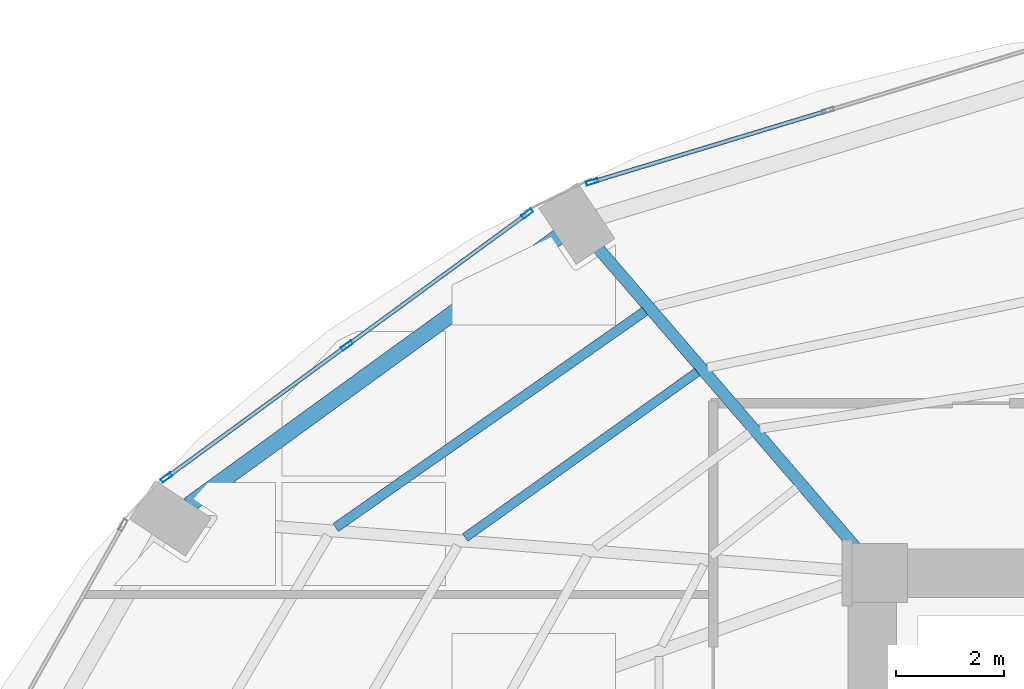
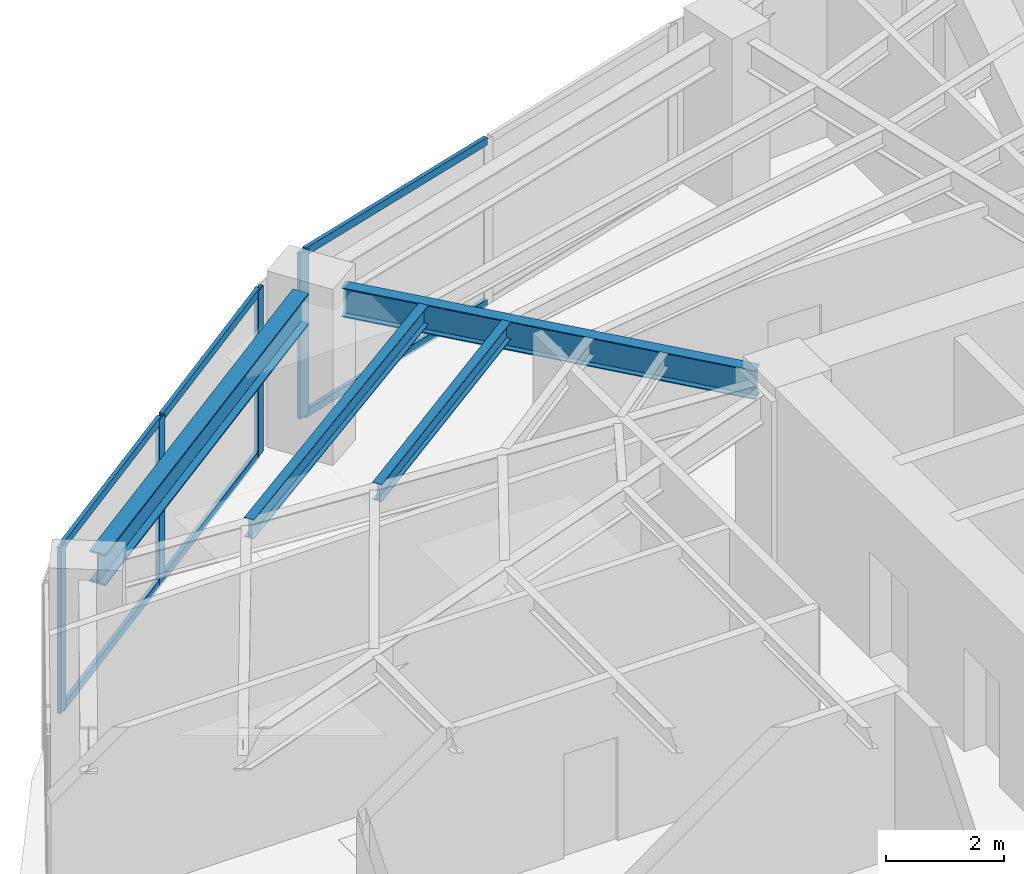
# One storey, part 13 of 24: 10 members, 4 beams, 2 elements without a shape of their own.
"""IFC4 building model written with IfcOpenShell, lengths in metres."""

from ifc_helpers import new_model, si_unit, direction, frame, origin, origin_2d, place, context, subcontext, project, spatial, hollow_rectangle, i_section, extrude, material, layer, layer_set, material_profile, profile_set, type_object, element, aggregate, save


model = new_model("IFC4")

# Units and contexts
model_context = context("Model", 3, precision=1e-05, world=origin(), true_north=direction((0.0, 1.0)))
body_context = subcontext(model_context, "Body", "Model", "MODEL_VIEW")
ifc_project = project(units=[si_unit("LENGTHUNIT", "METRE"), si_unit("AREAUNIT", "SQUARE_METRE"), si_unit("VOLUMEUNIT", "CUBIC_METRE"), si_unit("PLANEANGLEUNIT", "RADIAN"), si_unit("MASSUNIT", "GRAM", prefix="KILO")], contexts=[model_context])

# Site, building, storey
site_placement = place(None, origin())
site = spatial("IfcSite", under=ifc_project, at=site_placement, CompositionType="ELEMENT")
building_placement = place(site_placement, origin())
building = spatial("IfcBuilding", under=site, at=building_placement, Name="Lazwardi Medical Tower", CompositionType="ELEMENT")
storey_placement = place(building_placement, frame((0.0, 0.0, 39.7919921875)))
storey = spatial("IfcBuildingStorey", under=building, at=storey_placement, Name="L09", CompositionType="ELEMENT", Elevation=39.7919921875)

# Beams
ifc_material_1 = material(Name="Steel S355", Category="steel")
ifc_material_profile_1 = material_profile(ifc_material_1, i_section(OverallWidth=0.300048828125, OverallDepth=0.64990234375, WebThickness=0.01611328125, FlangeThickness=0.031005859375, at=origin_2d()), Name="HEB 650")
ifc_profile_set_1 = profile_set([ifc_material_profile_1], Name="Steel S355")
beam_type_1 = type_object("IfcBeamType", Name="BM-RB-Z1", PredefinedType="BEAM", material=ifc_profile_set_1)
beam_1_placement = place(storey_placement, frame((20.47900390625, 41.83740234375, 3.10302734375), z_axis=(-0.80939338516, -0.5872668457, 0.0), x_axis=(0.5872668457, -0.80939338516, 0.0)))
element("IfcBeam", 1, at=beam_1_placement, inside=storey, type_object=beam_type_1, Name="Ring beam RB-02 B10 L09", PredefinedType="BEAM", context=body_context, shape_type="SweptSolid", body=[
    extrude(i_section(OverallWidth=0.300048828125, OverallDepth=0.64990234375, WebThickness=0.01611328125, FlangeThickness=0.031005859375, at=origin_2d()), origin(), (0.0, 0.0, 1.0), 8.47412109375),
])
ifc_material_profile_2 = material_profile(ifc_material_1, i_section(OverallWidth=0.219970703125, OverallDepth=0.60009765625, WebThickness=0.011962890625, FlangeThickness=0.01904296875, at=origin_2d()), Name="IPE 600")
ifc_profile_set_2 = profile_set([ifc_material_profile_2], Name="Steel S355")
beam_type_2 = type_object("IfcBeamType", Name="BM-RG-W1", PredefinedType="BEAM", material=ifc_profile_set_2)
beam_2_placement = place(storey_placement, frame((21.197509765625, 41.644287109375, 3.1279296875), z_axis=(0.652368190463, -0.757902199543, 0.0), x_axis=(0.757902199543, 0.652368190463, 0.0)))
element("IfcBeam", 2, at=beam_2_placement, inside=storey, type_object=beam_type_2, Name="Radial girder RG-02 R10 L09", PredefinedType="BEAM", context=body_context, shape_type="SweptSolid", body=[
    extrude(i_section(OverallWidth=0.219970703125, OverallDepth=0.60009765625, WebThickness=0.011962890625, FlangeThickness=0.01904296875, at=origin_2d()), origin(), (0.0, 0.0, 1.0), 7.43994140625),
])
ifc_material_profile_3 = material_profile(ifc_material_1, i_section(OverallWidth=0.179931640625, OverallDepth=0.39990234375, WebThickness=0.008544921875, FlangeThickness=0.013427734375, at=origin_2d()), Name="IPE 400")
ifc_profile_set_3 = profile_set([ifc_material_profile_3], Name="Steel S355")
beam_type_3 = type_object("IfcBeamType", Name="BM-SJ-01", PredefinedType="JOIST", material=ifc_profile_set_3)
beam_3_placement = place(storey_placement, frame((22.08203125, 40.456298828125, 3.22802734375), z_axis=(-0.81942522483, -0.573186096231, 0.0), x_axis=(0.573186096231, -0.81942522483, 0.0)))
element("IfcBeam", 3, at=beam_3_placement, inside=storey, type_object=beam_type_3, Name="Secondary joist SJ-01 R1 B10 L09", PredefinedType="JOIST", context=body_context, shape_type="SweptSolid", body=[
    extrude(i_section(OverallWidth=0.179931640625, OverallDepth=0.39990234375, WebThickness=0.008544921875, FlangeThickness=0.013427734375, at=origin_2d()), origin(), (0.0, 0.0, 1.0), 6.999755859375),
])
ifc_material_profile_4 = material_profile(ifc_material_1, i_section(OverallWidth=0.169921875, OverallDepth=0.360107421875, WebThickness=0.008056640625, FlangeThickness=0.0126953125, at=origin_2d()), Name="IPE 360")
ifc_profile_set_4 = profile_set([ifc_material_profile_4], Name="Steel S355")
beam_type_4 = type_object("IfcBeamType", Name="BM-SJ-02", PredefinedType="JOIST", material=ifc_profile_set_4)
beam_4_placement = place(storey_placement, frame((23.05322265625, 39.327880859375, 3.248046875), z_axis=(-0.814341377136, -0.580386183058, 0.0), x_axis=(0.580386183058, -0.814341377136, 0.0)))
element("IfcBeam", 4, at=beam_4_placement, inside=storey, type_object=beam_type_4, Name="Secondary joist SJ-02 R2 B10 L09", PredefinedType="JOIST", context=body_context, shape_type="SweptSolid", body=[
    extrude(i_section(OverallWidth=0.169921875, OverallDepth=0.360107421875, WebThickness=0.008056640625, FlangeThickness=0.0126953125, at=origin_2d()), origin(), (0.0, 0.0, 1.0), 5.28759765625),
])

# Curtain wall, member
ifc_material_2 = material(Name="Anodised bronze aluminium and solar control glazing", Category="aluminium")
ifc_layer = layer(ifc_material_2, 0.199951171875)
ifc_layer_set = layer_set([ifc_layer], Name="Anodised bronze aluminium and solar control glazing")
curtain_wall_type = type_object("IfcCurtainWallType", Name="CW-SYS-02", PredefinedType="NOTDEFINED", material=ifc_layer_set)
curtain_wall_1_placement = place(storey_placement, origin())
curtain_wall_1 = element("IfcCurtainWall", 5, at=curtain_wall_1_placement, inside=storey, type_object=curtain_wall_type, Name="L09 Unitised bronze curtain wall CW-02", PredefinedType="NOTDEFINED")
ifc_material_3 = material(Name="Anodised bronze aluminium", Category="aluminium")
ifc_material_profile_5 = material_profile(ifc_material_3, hollow_rectangle(XDim=0.074951171875, YDim=0.219970703125, WallThickness=0.00390625, at=origin_2d()), Name="ALU-MULLION 220x75x4")
ifc_profile_set_5 = profile_set([ifc_material_profile_5], Name="Anodised bronze aluminium")
member_type_1 = type_object("IfcMemberType", Name="CW-MUL-01", PredefinedType="MULLION", material=ifc_profile_set_5)
member_1_placement = place(storey_placement, frame((21.1015625, 42.853271484375, 0.0), z_axis=(0.0, 0.0, 1.0), x_axis=(0.2898956909, -0.957058247129, 0.0)))
member_1 = element("IfcMember", 6, at=member_1_placement, type_object=member_type_1, Name="CW-02 mullion 3", PredefinedType="MULLION", context=body_context, shape_type="SweptSolid", body=[
    extrude(hollow_rectangle(XDim=0.074951171875, YDim=0.219970703125, WallThickness=0.00390625, at=origin_2d()), origin(), (0.0, 0.0, 1.0), 3.427978515625),
])

# Curtain wall, members
curtain_wall_2_placement = place(storey_placement, origin())
curtain_wall_2 = element("IfcCurtainWall", 7, at=curtain_wall_2_placement, inside=storey, type_object=curtain_wall_type, Name="L09 Unitised bronze curtain wall CW-02", PredefinedType="NOTDEFINED")
member_2_placement = place(storey_placement, frame((19.9013671875, 42.26611328125, 0.0), z_axis=(0.0, 0.0, 1.0), x_axis=(0.590289307341, -0.807191757663, 0.0)))
member_2 = element("IfcMember", 8, at=member_2_placement, type_object=member_type_1, Name="CW-02 mullion 1", PredefinedType="MULLION", context=body_context, shape_type="SweptSolid", body=[
    extrude(hollow_rectangle(XDim=0.074951171875, YDim=0.219970703125, WallThickness=0.00390625, at=origin_2d()), origin(), (0.0, 0.0, 1.0), 3.427978515625),
])
member_3_placement = place(storey_placement, frame((16.5556640625, 39.8193359375, 0.0), z_axis=(0.0, 0.0, 1.0), x_axis=(0.590289307341, -0.807191757663, 0.0)))
member_3 = element("IfcMember", 9, at=member_3_placement, type_object=member_type_1, Name="CW-02 mullion 2", PredefinedType="MULLION", context=body_context, shape_type="SweptSolid", body=[
    extrude(hollow_rectangle(XDim=0.074951171875, YDim=0.219970703125, WallThickness=0.00390625, at=origin_2d()), origin(), (0.0, 0.0, 1.0), 3.427978515625),
])
member_4_placement = place(storey_placement, frame((13.209716796875, 37.37255859375, 0.0), z_axis=(0.0, 0.0, 1.0), x_axis=(0.590289307341, -0.807191757663, 0.0)))
member_4 = element("IfcMember", 10, at=member_4_placement, type_object=member_type_1, Name="CW-02 mullion 3", PredefinedType="MULLION", context=body_context, shape_type="SweptSolid", body=[
    extrude(hollow_rectangle(XDim=0.074951171875, YDim=0.219970703125, WallThickness=0.00390625, at=origin_2d()), origin(), (0.0, 0.0, 1.0), 3.427978515625),
])

# Member
ifc_material_profile_6 = material_profile(ifc_material_3, hollow_rectangle(XDim=0.074951171875, YDim=0.159912109375, WallThickness=0.00390625, at=origin_2d()), Name="ALU-TRANSOM 160x75x4")
ifc_profile_set_6 = profile_set([ifc_material_profile_6], Name="Anodised bronze aluminium")
member_type_2 = type_object("IfcMemberType", Name="CW-TRN-01", PredefinedType="USERDEFINED", material=ifc_profile_set_6)
member_5_placement = place(storey_placement, frame((25.44091796875, 44.16748046875, 0.03759765625), z_axis=(-0.957062297904, -0.289882317383, 0.0), x_axis=(0.289882317383, -0.957062297904, 0.0)))
member_5 = element("IfcMember", 11, at=member_5_placement, type_object=member_type_2, Name="CW-02 transom 2.1", ObjectType="TRANSOM", PredefinedType="USERDEFINED", context=body_context, shape_type="SweptSolid", body=[
    extrude(hollow_rectangle(XDim=0.074951171875, YDim=0.159912109375, WallThickness=0.00390625, at=origin_2d()), origin(), (0.0, 0.0, 1.0), 4.49658203125),
])

member_6_placement = place(storey_placement, frame((25.44091796875, 44.16748046875, 3.390625), z_axis=(-0.957062297904, -0.289882317383, 0.0), x_axis=(0.289882317383, -0.957062297904, 0.0)))
member_6 = element("IfcMember", 12, at=member_6_placement, type_object=member_type_2, Name="CW-02 transom 2.2", ObjectType="TRANSOM", PredefinedType="USERDEFINED", context=body_context, shape_type="SweptSolid", body=[
    extrude(hollow_rectangle(XDim=0.074951171875, YDim=0.159912109375, WallThickness=0.00390625, at=origin_2d()), origin(), (0.0, 0.0, 1.0), 4.49658203125),
])

aggregate(curtain_wall_1, [member_1, member_5, member_6])

member_7_placement = place(storey_placement, frame((19.87109375, 42.243896484375, 0.03759765625), z_axis=(-0.807197636578, -0.590281268128, 0.0), x_axis=(0.590281268128, -0.807197636578, 0.0)))
member_7 = element("IfcMember", 13, at=member_7_placement, type_object=member_type_2, Name="CW-02 transom 1.1", ObjectType="TRANSOM", PredefinedType="USERDEFINED", context=body_context, shape_type="SweptSolid", body=[
    extrude(hollow_rectangle(XDim=0.074951171875, YDim=0.159912109375, WallThickness=0.00390625, at=origin_2d()), origin(), (0.0, 0.0, 1.0), 4.06982421875),
])

member_8_placement = place(storey_placement, frame((19.87109375, 42.243896484375, 3.390625), z_axis=(-0.807197636578, -0.590281268128, 0.0), x_axis=(0.590281268128, -0.807197636578, 0.0)))
member_8 = element("IfcMember", 14, at=member_8_placement, type_object=member_type_2, Name="CW-02 transom 1.2", ObjectType="TRANSOM", PredefinedType="USERDEFINED", context=body_context, shape_type="SweptSolid", body=[
    extrude(hollow_rectangle(XDim=0.074951171875, YDim=0.159912109375, WallThickness=0.00390625, at=origin_2d()), origin(), (0.0, 0.0, 1.0), 4.06982421875),
])

member_9_placement = place(storey_placement, frame((16.525390625, 39.797119140625, 0.03759765625), z_axis=(-0.807218536774, -0.590252686472, 0.0), x_axis=(0.590252686472, -0.807218536774, 0.0)))
member_9 = element("IfcMember", 15, at=member_9_placement, type_object=member_type_2, Name="CW-02 transom 2.1", ObjectType="TRANSOM", PredefinedType="USERDEFINED", context=body_context, shape_type="SweptSolid", body=[
    extrude(hollow_rectangle(XDim=0.074951171875, YDim=0.159912109375, WallThickness=0.00390625, at=origin_2d()), origin(), (0.0, 0.0, 1.0), 4.070068359375),
])

member_10_placement = place(storey_placement, frame((16.525390625, 39.797119140625, 3.390625), z_axis=(-0.807218536774, -0.590252686472, 0.0), x_axis=(0.590252686472, -0.807218536774, 0.0)))
member_10 = element("IfcMember", 16, at=member_10_placement, type_object=member_type_2, Name="CW-02 transom 2.2", ObjectType="TRANSOM", PredefinedType="USERDEFINED", context=body_context, shape_type="SweptSolid", body=[
    extrude(hollow_rectangle(XDim=0.074951171875, YDim=0.159912109375, WallThickness=0.00390625, at=origin_2d()), origin(), (0.0, 0.0, 1.0), 4.070068359375),
])

aggregate(curtain_wall_2, [member_2, member_3, member_4, member_7, member_8, member_9, member_10])

save(model, "model.ifc")
